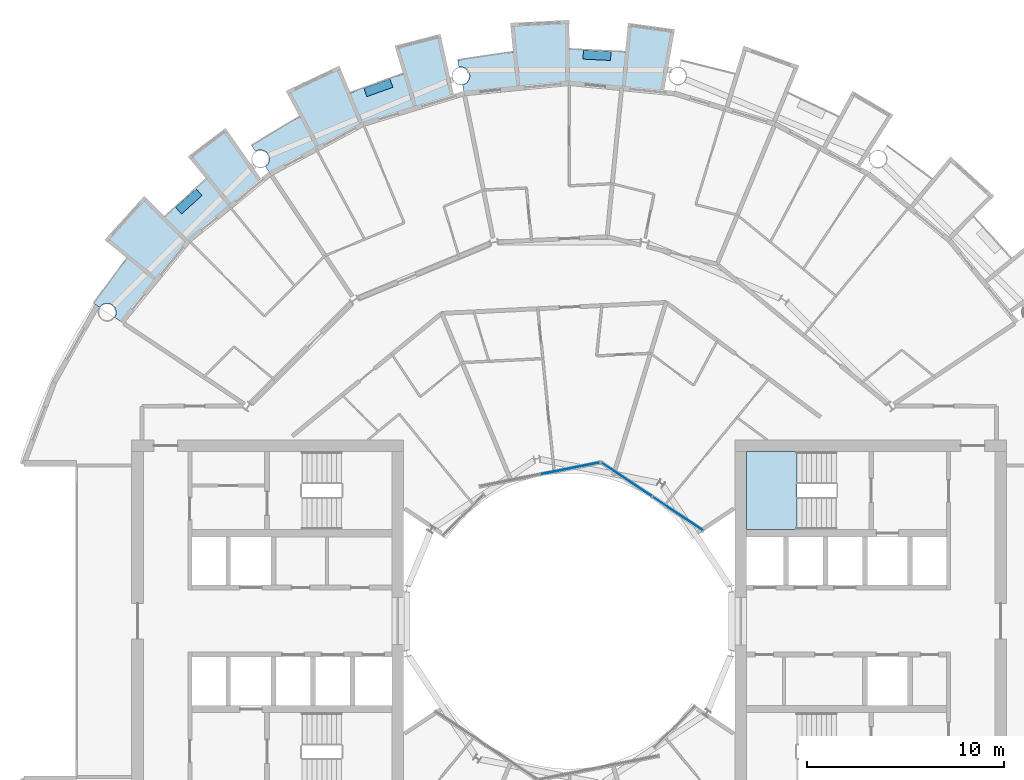
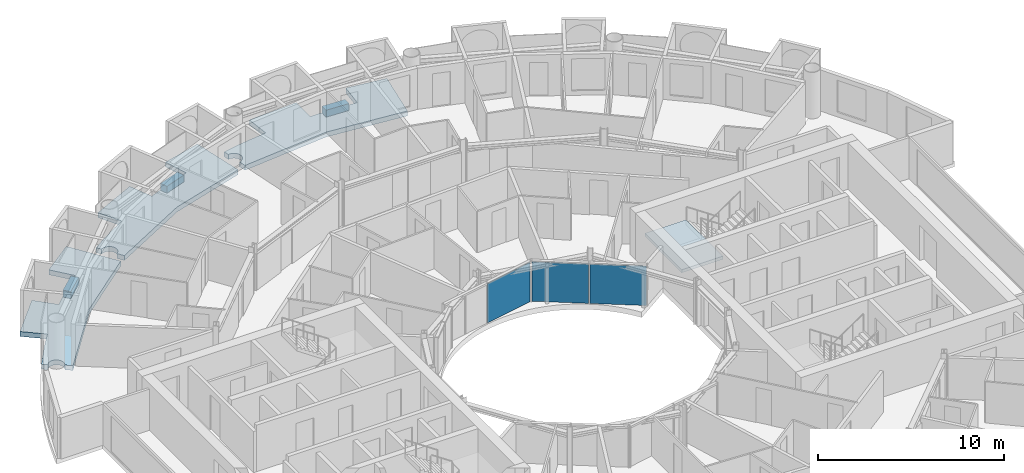
# One storey, part 12 of 27: 7 slabs, 3 plates, 3 elements without a shape of their own.
"""IFC4 building model written with IfcOpenShell, lengths in metres."""

from ifc_helpers import new_model, si_unit, direction, frame, origin, origin_2d, place, context, subcontext, project, spatial, polyline, rectangle, outline, extrude, material, layer, layer_set, type_object, element, aggregate, save


model = new_model("IFC4")

# Units and contexts
model_context = context("Model", 3, precision=1e-05, world=origin(), true_north=direction((0.0, 1.0)))
body_context = subcontext(model_context, "Body", "Model", "MODEL_VIEW")
ifc_project = project(units=[si_unit("LENGTHUNIT", "METRE"), si_unit("AREAUNIT", "SQUARE_METRE"), si_unit("VOLUMEUNIT", "CUBIC_METRE"), si_unit("PLANEANGLEUNIT", "RADIAN"), si_unit("MASSUNIT", "GRAM", prefix="KILO")], contexts=[model_context])

# Site, building, storey
site_placement = place(None, origin())
site = spatial("IfcSite", under=ifc_project, at=site_placement, CompositionType="ELEMENT")
building_placement = place(site_placement, origin())
building = spatial("IfcBuilding", under=site, at=building_placement, Name="Maasbend Ring Residences", CompositionType="ELEMENT")
storey_placement = place(building_placement, frame((0.0, 0.0, 114.699951171875)))
storey = spatial("IfcBuildingStorey", under=building, at=storey_placement, Name="L32", CompositionType="ELEMENT", Elevation=114.699951171875)

# Stair, slab
ifc_material_1 = material(Name="Concrete C40/50", Category="concrete")
stair_type = type_object("IfcStairType", Name="CORE STAIR 18 RISERS", PredefinedType="HALF_TURN_STAIR", material=ifc_material_1)
stair_placement = place(storey_placement, origin())
stair = element("IfcStair", 1, at=stair_placement, inside=storey, type_object=stair_type, Name="L32 Exit stair ST-E1", PredefinedType="HALF_TURN_STAIR")
ifc_material_2 = material(Name="Concrete C40/50", Category="concrete")
ifc_layer_1 = layer(ifc_material_2, 0.199951171875)
ifc_layer_set_1 = layer_set([ifc_layer_1], Name="Concrete C40/50")
slab_type_1 = type_object("IfcSlabType", Name="CORE STAIR LANDING 200", PredefinedType="LANDING", material=ifc_layer_set_1)
slab_1_placement = place(storey_placement, frame((0.0, 0.0, 1.324951171875)))
slab_1 = element("IfcSlab", 2, at=slab_1_placement, type_object=slab_type_1, Name="ST-E1 landing 1", PredefinedType="LANDING", context=body_context, shape_type="SweptSolid", body=[
    extrude(outline(polyline([(11.550048828125, 8.60009765625), (9.0, 8.60009765625), (9.0, 4.64990234375), (11.550048828125, 4.64990234375), (11.550048828125, 8.60009765625)])), origin(), (0.0, 0.0, 1.0), 0.2001953125),
])
aggregate(stair, [slab_1])

# Curtain wall, plates
ifc_material_3 = material(Name="Aluminium and clear glass", Category="aluminium")
ifc_layer_2 = layer(ifc_material_3, 0.179931640625)
ifc_layer_set_2 = layer_set([ifc_layer_2], Name="CW-W")
curtain_wall_type = type_object("IfcCurtainWallType", Name="CW-W", PredefinedType="NOTDEFINED", material=ifc_layer_set_2)
curtain_wall_1_placement = place(storey_placement, origin())
curtain_wall_1 = element("IfcCurtainWall", 3, at=curtain_wall_1_placement, inside=storey, type_object=curtain_wall_type, Name="Well curtain wall N1", PredefinedType="NOTDEFINED")
ifc_material_4 = material(Name="Glass clear laminated", Category="glass")
ifc_layer_3 = layer(ifc_material_4, 0.031982421875)
ifc_layer_set_3 = layer_set([ifc_layer_3], Name="CWP-W")
plate_type = type_object("IfcPlateType", Name="CWP-W", PredefinedType="CURTAIN_PANEL", material=ifc_layer_set_3)
plate_1_placement = place(storey_placement, frame((5.51123046875, 5.44580078125, 0.0), z_axis=(0.0, 0.0, 1.0), x_axis=(-0.831469612303, 0.55557023302, 0.0)))
plate_1 = element("IfcPlate", 4, at=plate_1_placement, type_object=plate_type, Name="Glass panel well face", PredefinedType="CURTAIN_PANEL", context=body_context, shape_type="SweptSolid", body=[
    extrude(rectangle(XDim=3.053955078125, YDim=0.031982421875, at=origin_2d()), origin(), (0.0, 0.0, 1.0), 2.580078125),
])
plate_2_placement = place(storey_placement, frame((2.922119140625, 7.17578125, 0.0), z_axis=(0.0, 0.0, 1.0), x_axis=(-0.831469612303, 0.55557023302, 0.0)))
plate_2 = element("IfcPlate", 5, at=plate_2_placement, type_object=plate_type, Name="Glass panel well face", PredefinedType="CURTAIN_PANEL", context=body_context, shape_type="SweptSolid", body=[
    extrude(rectangle(XDim=3.053955078125, YDim=0.031982421875, at=origin_2d()), origin(), (0.0, 0.0, 1.0), 2.580078125),
])
aggregate(curtain_wall_1, [plate_1, plate_2])

# Curtain wall, plate
curtain_wall_2_placement = place(storey_placement, origin())
curtain_wall_2 = element("IfcCurtainWall", 6, at=curtain_wall_2_placement, inside=storey, type_object=curtain_wall_type, Name="Well curtain wall N2", PredefinedType="NOTDEFINED")
plate_3_placement = place(storey_placement, frame((0.04638671875, 7.747802734375, 0.0), z_axis=(0.0, 0.0, 1.0), x_axis=(-0.980785280403, -0.195090322016, 0.0)))
plate_3 = element("IfcPlate", 7, at=plate_3_placement, type_object=plate_type, Name="Glass panel well face", PredefinedType="CURTAIN_PANEL", context=body_context, shape_type="SweptSolid", body=[
    extrude(rectangle(XDim=3.053955078125, YDim=0.031982421875, at=origin_2d()), origin(), (0.0, 0.0, 1.0), 2.580078125),
])
aggregate(curtain_wall_2, [plate_3])

# Slabs
ifc_material_5 = material(Name="Planting with climbing greenery")
ifc_layer_4 = layer(ifc_material_5, 0.449951171875)
ifc_layer_set_4 = layer_set([ifc_layer_4], Name="PLANTER-LG")
slab_type_2 = type_object("IfcSlabType", Name="PLANTER-LG", PredefinedType="USERDEFINED", material=ifc_layer_set_4)
slab_2_placement = place(storey_placement, frame((0.0, 0.0, -0.030029296875)))
element("IfcSlab", 8, at=slab_2_placement, inside=storey, type_object=slab_type_2, Name="Planter with climbing greenery 3", ObjectType="PLANTER", PredefinedType="USERDEFINED", context=body_context, shape_type="SweptSolid", body=[
    extrude(outline(polyline([(2.1201171875, 28.89599609375), (0.721923828125, 28.965087890625), (0.699951171875, 28.514892578125), (2.097900390625, 28.446044921875), (2.1201171875, 28.89599609375)])), origin(), (0.0, 0.0, 1.0), 0.4501953125),
])
slab_3_placement = place(storey_placement, frame((0.0, 0.0, -0.030029296875)))
element("IfcSlab", 9, at=slab_3_placement, inside=storey, type_object=slab_type_2, Name="Planter with climbing greenery 4", ObjectType="PLANTER", PredefinedType="USERDEFINED", context=body_context, shape_type="SweptSolid", body=[
    extrude(outline(polyline([(-9.09912109375, 27.508056640625), (-10.4169921875, 27.035888671875), (-10.26611328125, 26.612060546875), (-8.947021484375, 27.083984375), (-9.09912109375, 27.508056640625)])), origin(), (0.0, 0.0, 1.0), 0.4501953125),
])
slab_4_placement = place(storey_placement, frame((0.0, 0.0, -0.030029296875)))
element("IfcSlab", 10, at=slab_4_placement, inside=storey, type_object=slab_type_2, Name="Planter with climbing greenery 5", ObjectType="PLANTER", PredefinedType="USERDEFINED", context=body_context, shape_type="SweptSolid", body=[
    extrude(outline(polyline([(-18.93310546875, 21.931884765625), (-19.969970703125, 20.991943359375), (-19.66796875, 20.657958984375), (-18.631103515625, 21.597900390625), (-18.93310546875, 21.931884765625)])), origin(), (0.0, 0.0, 1.0), 0.4501953125),
])
ifc_material_6 = material(Name="Concrete C40/50", Category="concrete")
ifc_layer_5 = layer(ifc_material_6, 0.199951171875)
ifc_layer_set_5 = layer_set([ifc_layer_5], Name="Concrete C40/50")
slab_type_3 = type_object("IfcSlabType", Name="SL-LOGGIA", PredefinedType="FLOOR", material=ifc_layer_set_5)
slab_5_placement = place(storey_placement, frame((0.0, 0.0, -0.349853515625)))
element("IfcSlab", 11, at=slab_5_placement, inside=storey, type_object=slab_type_3, Name="Loggia floor 1", PredefinedType="FLOOR", context=body_context, shape_type="SweptSolid", body=[
    extrude(outline(polyline([(-14.5, 25.114990234375), (-13.6708984375, 25.574951171875), (-13.6708984375, 25.575927734375), (-13.6708984375, 25.575927734375), (-13.6708984375, 25.575927734375), (-13.6708984375, 25.575927734375), (-13.6708984375, 25.575927734375), (-13.6708984375, 25.575927734375), (-13.6708984375, 25.575927734375), (-13.6708984375, 25.575927734375), (-13.6708984375, 25.575927734375), (-13.6708984375, 25.575927734375), (-13.6708984375, 25.575927734375), (-13.6708984375, 25.575927734375), (-13.6708984375, 25.575927734375), (-13.6708984375, 25.575927734375), (-13.6708984375, 25.575927734375), (-13.6708984375, 25.575927734375), (-14.3779296875, 26.89892578125), (-14.3779296875, 26.89892578125), (-14.3779296875, 26.89892578125), (-11.672119140625, 28.177978515625), (-11.672119140625, 28.177978515625), (-11.672119140625, 28.177978515625), (-11.097900390625, 26.79296875), (-11.097900390625, 26.79296875), (-11.097900390625, 26.79296875), (-11.097900390625, 26.79296875), (-11.097900390625, 26.79296875), (-11.097900390625, 26.79296875), (-11.097900390625, 26.79296875), (-11.097900390625, 26.79296875), (-11.097900390625, 26.79296875), (-11.097900390625, 26.79296875), (-11.097900390625, 26.79296875), (-11.097900390625, 26.79296875), (-11.097900390625, 26.79296875), (-11.097900390625, 26.79296875), (-11.096923828125, 26.79296875), (-11.096923828125, 26.79296875), (-11.096923828125, 26.79296875), (-10.215087890625, 27.14111328125), (-10.215087890625, 27.14111328125), (-9.322021484375, 27.4609375), (-9.322021484375, 27.4609375), (-8.4189453125, 27.7509765625), (-8.4189453125, 27.7509765625), (-8.4189453125, 27.7509765625), (-8.4189453125, 27.7509765625), (-8.4189453125, 27.7509765625), (-8.4189453125, 27.7509765625), (-8.41796875, 27.7509765625), (-8.41796875, 27.7509765625), (-8.41796875, 27.7509765625), (-8.41796875, 27.7509765625), (-8.41796875, 27.7509765625), (-8.41796875, 27.751953125), (-8.41796875, 27.751953125), (-8.41796875, 27.751953125), (-8.41796875, 27.751953125), (-8.41796875, 27.751953125), (-8.41796875, 27.751953125), (-8.85400390625, 29.18701171875), (-8.85400390625, 29.18701171875), (-8.85400390625, 29.18701171875), (-6.5400390625, 29.791015625), (-6.5400390625, 29.791015625), (-6.5400390625, 29.791015625), (-5.843994140625, 26.617919921875), (-5.843994140625, 26.617919921875), (-5.843994140625, 26.617919921875), (-7.886962890625, 25.9990234375), (-10.447021484375, 25.221923828125), (-10.447021484375, 25.221923828125), (-10.447021484375, 25.221923828125), (-12.806884765625, 23.9609375), (-15.1669921875, 22.698974609375), (-15.1669921875, 22.698974609375), (-15.1669921875, 22.698974609375), (-15.4130859375, 23.06689453125), (-15.404052734375, 23.073974609375), (-15.39501953125, 23.080078125), (-15.385986328125, 23.0869140625), (-15.376953125, 23.093994140625), (-15.368896484375, 23.10107421875), (-15.360107421875, 23.10888671875), (-15.35205078125, 23.115966796875), (-15.343994140625, 23.1240234375), (-15.3359375, 23.132080078125), (-15.327880859375, 23.139892578125), (-15.321044921875, 23.14892578125), (-15.31396484375, 23.156982421875), (-15.306884765625, 23.166015625), (-15.300048828125, 23.175048828125), (-15.29296875, 23.18408203125), (-15.287109375, 23.194091796875), (-15.281005859375, 23.202880859375), (-15.27490234375, 23.2119140625), (-15.26904296875, 23.221923828125), (-15.263916015625, 23.23193359375), (-15.259033203125, 23.241943359375), (-15.25390625, 23.251953125), (-15.2490234375, 23.261962890625), (-15.2451171875, 23.27294921875), (-15.240966796875, 23.282958984375), (-15.237060546875, 23.29296875), (-15.23291015625, 23.303955078125), (-15.22998046875, 23.31494140625), (-15.22705078125, 23.325927734375), (-15.22412109375, 23.3359375), (-15.220947265625, 23.346923828125), (-15.218994140625, 23.35791015625), (-15.217041015625, 23.368896484375), (-15.215087890625, 23.3798828125), (-15.214111328125, 23.39111328125), (-15.2119140625, 23.403076171875), (-15.2109375, 23.4140625), (-15.2109375, 23.425048828125), (-15.2099609375, 23.43603515625), (-15.2099609375, 23.447021484375), (-15.2099609375, 23.458984375), (-15.2109375, 23.469970703125), (-15.2109375, 23.48095703125), (-15.2119140625, 23.491943359375), (-15.214111328125, 23.5029296875), (-15.215087890625, 23.513916015625), (-15.217041015625, 23.52587890625), (-15.218994140625, 23.537109375), (-15.220947265625, 23.548095703125), (-15.22412109375, 23.55810546875), (-15.22705078125, 23.569091796875), (-15.22998046875, 23.580078125), (-15.23291015625, 23.591064453125), (-15.237060546875, 23.60107421875), (-15.240966796875, 23.612060546875), (-15.2451171875, 23.6220703125), (-15.2490234375, 23.633056640625), (-15.25390625, 23.64306640625), (-15.259033203125, 23.653076171875), (-15.263916015625, 23.6630859375), (-15.26904296875, 23.673095703125), (-15.27490234375, 23.681884765625), (-15.281005859375, 23.69189453125), (-15.287109375, 23.700927734375), (-15.29296875, 23.7109375), (-15.300048828125, 23.719970703125), (-15.306884765625, 23.72900390625), (-15.31396484375, 23.737060546875), (-15.321044921875, 23.74609375), (-15.327880859375, 23.75390625), (-15.3359375, 23.762939453125), (-15.343994140625, 23.77099609375), (-15.35205078125, 23.778076171875), (-15.360107421875, 23.785888671875), (-15.368896484375, 23.79296875), (-15.376953125, 23.801025390625), (-15.385986328125, 23.80810546875), (-15.39501953125, 23.81396484375), (-15.404052734375, 23.821044921875), (-15.4130859375, 23.826904296875), (-15.423095703125, 23.8330078125), (-15.431884765625, 23.839111328125), (-15.44189453125, 23.844970703125), (-15.451904296875, 23.85009765625), (-15.4619140625, 23.85595703125), (-15.471923828125, 23.861083984375), (-15.48193359375, 23.864990234375), (-15.491943359375, 23.8701171875), (-15.5029296875, 23.8740234375), (-15.512939453125, 23.8779296875), (-15.52392578125, 23.881103515625), (-15.533935546875, 23.885009765625), (-15.544921875, 23.887939453125), (-15.555908203125, 23.89111328125), (-15.56689453125, 23.89306640625), (-15.577880859375, 23.89599609375), (-15.589111328125, 23.89794921875), (-15.60009765625, 23.89892578125), (-15.611083984375, 23.90087890625), (-15.6220703125, 23.902099609375), (-15.633056640625, 23.903076171875), (-15.64501953125, 23.904052734375), (-15.656005859375, 23.904052734375), (-15.6669921875, 23.904052734375), (-15.677978515625, 23.904052734375), (-15.68994140625, 23.904052734375), (-15.700927734375, 23.903076171875), (-15.7119140625, 23.902099609375), (-15.722900390625, 23.90087890625), (-15.73388671875, 23.89892578125), (-15.7451171875, 23.89794921875), (-15.756103515625, 23.89599609375), (-15.76708984375, 23.89306640625), (-15.778076171875, 23.89111328125), (-15.7890625, 23.887939453125), (-15.800048828125, 23.885009765625), (-15.81005859375, 23.881103515625), (-15.821044921875, 23.8779296875), (-15.83203125, 23.8740234375), (-15.842041015625, 23.8701171875), (-15.85205078125, 23.864990234375), (-15.862060546875, 23.861083984375), (-15.873046875, 23.85595703125), (-15.883056640625, 23.85009765625), (-15.89208984375, 23.844970703125), (-15.902099609375, 23.839111328125), (-15.912109375, 23.8330078125), (-15.9208984375, 23.826904296875), (-16.112060546875, 24.113037109375), (-16.112060546875, 24.113037109375), (-16.112060546875, 24.113037109375), (-15.31396484375, 24.626953125), (-15.31396484375, 24.626953125), (-14.5, 25.114990234375), (-14.5, 25.114990234375)])), origin(), (0.0, 0.0, 1.0), 0.31982421875),
])
slab_6_placement = place(storey_placement, frame((0.0, 0.0, -0.349853515625)))
element("IfcSlab", 12, at=slab_6_placement, inside=storey, type_object=slab_type_3, Name="Loggia floor 3", PredefinedType="FLOOR", context=body_context, shape_type="SweptSolid", body=[
    extrude(outline(polyline([(-3.784912109375, 28.751953125), (-2.843017578125, 28.860107421875), (-2.843017578125, 28.860107421875), (-2.843017578125, 28.860107421875), (-2.843017578125, 28.860107421875), (-2.843017578125, 28.860107421875), (-2.843017578125, 28.860107421875), (-2.843017578125, 28.860107421875), (-2.843017578125, 28.860107421875), (-2.843017578125, 28.860107421875), (-2.843017578125, 28.861083984375), (-2.843017578125, 28.861083984375), (-2.843017578125, 28.861083984375), (-2.843017578125, 28.861083984375), (-2.843017578125, 28.861083984375), (-2.843017578125, 28.861083984375), (-2.843017578125, 28.861083984375), (-2.843017578125, 28.861083984375), (-2.989990234375, 30.35302734375), (-2.989990234375, 30.35302734375), (-2.989990234375, 30.35302734375), (0.0, 30.5), (0.0, 30.5), (0.0, 30.5), (0.0, 29.0), (0.0, 29.0), (0.0, 29.0), (0.0, 29.0), (0.0, 29.0), (0.0, 29.0), (0.0, 29.0), (0.0, 29.0), (0.0, 29.0), (0.0, 29.0), (0.0, 29.0), (0.0, 29.0), (0.0, 29.0), (0.0, 29.0), (0.0, 29.0), (0.0, 29.0), (0.0, 29.0), (0.948974609375, 28.98388671875), (0.948974609375, 28.98388671875), (1.89697265625, 28.93798828125), (1.89697265625, 28.93798828125), (2.842041015625, 28.860107421875), (2.842041015625, 28.860107421875), (2.842041015625, 28.860107421875), (2.842041015625, 28.860107421875), (2.842041015625, 28.860107421875), (2.842041015625, 28.860107421875), (2.842041015625, 28.860107421875), (2.842041015625, 28.860107421875), (2.842041015625, 28.861083984375), (2.842041015625, 28.861083984375), (2.842041015625, 28.861083984375), (2.842041015625, 28.861083984375), (2.842041015625, 28.861083984375), (2.843017578125, 28.861083984375), (2.843017578125, 28.861083984375), (2.843017578125, 28.861083984375), (2.843017578125, 28.861083984375), (2.989990234375, 30.35302734375), (2.989990234375, 30.35302734375), (2.989990234375, 30.35302734375), (5.35791015625, 30.02587890625), (5.35791015625, 30.02587890625), (5.35791015625, 30.02587890625), (4.7880859375, 26.827880859375), (4.7880859375, 26.827880859375), (4.7880859375, 26.827880859375), (2.6630859375, 27.0380859375), (0.0, 27.300048828125), (0.0, 27.300048828125), (0.0, 27.300048828125), (-2.6630859375, 27.0380859375), (-5.325927734375, 26.77490234375), (-5.325927734375, 26.77490234375), (-5.325927734375, 26.77490234375), (-5.412109375, 27.2099609375), (-5.412109375, 27.2099609375), (-5.40087890625, 27.2119140625), (-5.389892578125, 27.215087890625), (-5.3798828125, 27.218017578125), (-5.368896484375, 27.220947265625), (-5.35791015625, 27.22412109375), (-5.347900390625, 27.22802734375), (-5.3369140625, 27.23193359375), (-5.326904296875, 27.236083984375), (-5.31591796875, 27.239990234375), (-5.305908203125, 27.2451171875), (-5.2958984375, 27.25), (-5.285888671875, 27.2548828125), (-5.27587890625, 27.260009765625), (-5.26708984375, 27.26611328125), (-5.257080078125, 27.27197265625), (-5.248046875, 27.278076171875), (-5.238037109375, 27.283935546875), (-5.22900390625, 27.291015625), (-5.219970703125, 27.298095703125), (-5.2119140625, 27.304931640625), (-5.202880859375, 27.31201171875), (-5.195068359375, 27.319091796875), (-5.18603515625, 27.326904296875), (-5.177978515625, 27.3349609375), (-5.1708984375, 27.343017578125), (-5.1630859375, 27.35107421875), (-5.155029296875, 27.360107421875), (-5.14794921875, 27.367919921875), (-5.14111328125, 27.376953125), (-5.134033203125, 27.385986328125), (-5.1279296875, 27.39501953125), (-5.1220703125, 27.404052734375), (-5.114990234375, 27.4140625), (-5.110107421875, 27.423095703125), (-5.10400390625, 27.43310546875), (-5.097900390625, 27.443115234375), (-5.093017578125, 27.452880859375), (-5.087890625, 27.462890625), (-5.083984375, 27.472900390625), (-5.0791015625, 27.48291015625), (-5.074951171875, 27.493896484375), (-5.071044921875, 27.50390625), (-5.068115234375, 27.514892578125), (-5.06396484375, 27.52490234375), (-5.06103515625, 27.535888671875), (-5.05810546875, 27.547119140625), (-5.055908203125, 27.55810546875), (-5.052978515625, 27.569091796875), (-5.051025390625, 27.580078125), (-5.049072265625, 27.591064453125), (-5.048095703125, 27.60205078125), (-5.047119140625, 27.613037109375), (-5.0458984375, 27.6240234375), (-5.044921875, 27.635986328125), (-5.044921875, 27.64697265625), (-5.044921875, 27.657958984375), (-5.044921875, 27.6689453125), (-5.044921875, 27.680908203125), (-5.0458984375, 27.69189453125), (-5.047119140625, 27.702880859375), (-5.048095703125, 27.714111328125), (-5.049072265625, 27.72509765625), (-5.051025390625, 27.736083984375), (-5.052978515625, 27.7470703125), (-5.055908203125, 27.758056640625), (-5.05810546875, 27.76904296875), (-5.06103515625, 27.780029296875), (-5.06396484375, 27.791015625), (-5.068115234375, 27.801025390625), (-5.071044921875, 27.81201171875), (-5.074951171875, 27.822998046875), (-5.0791015625, 27.8330078125), (-5.083984375, 27.843017578125), (-5.087890625, 27.85302734375), (-5.093017578125, 27.864013671875), (-5.097900390625, 27.8740234375), (-5.10400390625, 27.883056640625), (-5.110107421875, 27.89306640625), (-5.114990234375, 27.903076171875), (-5.1220703125, 27.912109375), (-5.1279296875, 27.9208984375), (-5.134033203125, 27.929931640625), (-5.14111328125, 27.93896484375), (-5.14794921875, 27.947998046875), (-5.155029296875, 27.95703125), (-5.1630859375, 27.965087890625), (-5.1708984375, 27.972900390625), (-5.177978515625, 27.98095703125), (-5.18603515625, 27.989013671875), (-5.195068359375, 27.9970703125), (-5.202880859375, 28.00390625), (-5.2119140625, 28.010986328125), (-5.219970703125, 28.01806640625), (-5.22900390625, 28.02490234375), (-5.238037109375, 28.031982421875), (-5.248046875, 28.0380859375), (-5.257080078125, 28.0439453125), (-5.26708984375, 28.050048828125), (-5.27587890625, 28.055908203125), (-5.285888671875, 28.06103515625), (-5.2958984375, 28.06591796875), (-5.305908203125, 28.071044921875), (-5.31591796875, 28.075927734375), (-5.326904296875, 28.080078125), (-5.3369140625, 28.083984375), (-5.347900390625, 28.087890625), (-5.35791015625, 28.092041015625), (-5.368896484375, 28.094970703125), (-5.3798828125, 28.09912109375), (-5.389892578125, 28.10107421875), (-5.40087890625, 28.10400390625), (-5.412109375, 28.10595703125), (-5.423095703125, 28.10791015625), (-5.43408203125, 28.110107421875), (-5.446044921875, 28.112060546875), (-5.45703125, 28.113037109375), (-5.468017578125, 28.114013671875), (-5.47900390625, 28.114990234375), (-5.489990234375, 28.114990234375), (-5.501953125, 28.114990234375), (-5.512939453125, 28.114990234375), (-5.52392578125, 28.114990234375), (-5.534912109375, 28.114013671875), (-5.5458984375, 28.113037109375), (-5.556884765625, 28.112060546875), (-5.569091796875, 28.110107421875), (-5.580078125, 28.10791015625), (-5.591064453125, 28.10595703125), (-5.591064453125, 28.10595703125), (-5.657958984375, 28.443115234375), (-5.657958984375, 28.443115234375), (-5.657958984375, 28.443115234375), (-4.72412109375, 28.613037109375), (-4.72412109375, 28.613037109375), (-3.784912109375, 28.751953125), (-3.784912109375, 28.751953125)])), origin(), (0.0, 0.0, 1.0), 0.31982421875),
])
slab_7_placement = place(storey_placement, frame((0.0, 0.0, -0.349853515625)))
element("IfcSlab", 13, at=slab_7_placement, inside=storey, type_object=slab_type_3, Name="Loggia floor 4", PredefinedType="FLOOR", context=body_context, shape_type="SweptSolid", body=[
    extrude(outline(polyline([(-23.007080078125, 17.654052734375), (-22.41796875, 18.39697265625), (-22.41796875, 18.39697265625), (-22.41796875, 18.39697265625), (-22.41796875, 18.39697265625), (-22.41796875, 18.39697265625), (-22.41796875, 18.39697265625), (-22.41796875, 18.39697265625), (-22.41796875, 18.39697265625), (-22.41796875, 18.39697265625), (-22.41796875, 18.39697265625), (-22.41796875, 18.39697265625), (-22.41796875, 18.39794921875), (-22.41796875, 18.39794921875), (-22.41796875, 18.39794921875), (-22.41796875, 18.39794921875), (-22.41796875, 18.39794921875), (-22.41796875, 18.39794921875), (-23.576904296875, 19.34912109375), (-23.576904296875, 19.34912109375), (-23.576904296875, 19.34912109375), (-21.56689453125, 21.56689453125), (-21.56689453125, 21.56689453125), (-21.56689453125, 21.56689453125), (-20.506103515625, 20.506103515625), (-20.506103515625, 20.506103515625), (-20.506103515625, 20.506103515625), (-20.506103515625, 20.506103515625), (-20.506103515625, 20.506103515625), (-20.506103515625, 20.506103515625), (-20.506103515625, 20.506103515625), (-20.506103515625, 20.506103515625), (-20.506103515625, 20.506103515625), (-20.506103515625, 20.506103515625), (-20.506103515625, 20.506103515625), (-20.506103515625, 20.506103515625), (-20.506103515625, 20.506103515625), (-20.506103515625, 20.506103515625), (-20.506103515625, 20.506103515625), (-20.506103515625, 20.506103515625), (-20.506103515625, 20.506103515625), (-19.823974609375, 21.166015625), (-19.823974609375, 21.166015625), (-19.12109375, 21.802978515625), (-19.12109375, 21.802978515625), (-18.39794921875, 22.4169921875), (-18.39794921875, 22.4169921875), (-18.39794921875, 22.4169921875), (-18.39794921875, 22.4169921875), (-18.39794921875, 22.4169921875), (-18.39794921875, 22.4169921875), (-18.39794921875, 22.4169921875), (-18.39794921875, 22.4169921875), (-18.39794921875, 22.4169921875), (-18.39794921875, 22.4169921875), (-18.39794921875, 22.4169921875), (-18.39794921875, 22.4169921875), (-18.39794921875, 22.41796875), (-18.39794921875, 22.41796875), (-18.39794921875, 22.41796875), (-18.39794921875, 22.41796875), (-18.39794921875, 22.41796875), (-19.34912109375, 23.576904296875), (-19.34912109375, 23.576904296875), (-19.34912109375, 23.576904296875), (-17.44189453125, 25.02001953125), (-17.44189453125, 25.02001953125), (-17.44189453125, 25.02001953125), (-15.5849609375, 22.35595703125), (-15.5849609375, 22.35595703125), (-15.5849609375, 22.35595703125), (-17.236083984375, 21.001953125), (-19.303955078125, 19.303955078125), (-19.303955078125, 19.303955078125), (-19.303955078125, 19.303955078125), (-21.001953125, 17.236083984375), (-22.698974609375, 15.1669921875), (-22.698974609375, 15.1669921875), (-22.698974609375, 15.1669921875), (-23.06689453125, 15.4130859375), (-23.06689453125, 15.4130859375), (-23.06103515625, 15.423095703125), (-23.054931640625, 15.431884765625), (-23.050048828125, 15.44189453125), (-23.0439453125, 15.451904296875), (-23.0390625, 15.4619140625), (-23.033935546875, 15.471923828125), (-23.030029296875, 15.48193359375), (-23.02490234375, 15.491943359375), (-23.02099609375, 15.5029296875), (-23.01708984375, 15.512939453125), (-23.012939453125, 15.52392578125), (-23.010009765625, 15.533935546875), (-23.007080078125, 15.544921875), (-23.00390625, 15.555908203125), (-23.001953125, 15.56689453125), (-22.9990234375, 15.577880859375), (-22.9970703125, 15.589111328125), (-22.9951171875, 15.60009765625), (-22.993896484375, 15.611083984375), (-22.992919921875, 15.6220703125), (-22.991943359375, 15.633056640625), (-22.990966796875, 15.64501953125), (-22.990966796875, 15.656005859375), (-22.989990234375, 15.6669921875), (-22.990966796875, 15.677978515625), (-22.990966796875, 15.68994140625), (-22.991943359375, 15.700927734375), (-22.992919921875, 15.7119140625), (-22.993896484375, 15.722900390625), (-22.9951171875, 15.73388671875), (-22.9970703125, 15.7451171875), (-22.9990234375, 15.756103515625), (-23.001953125, 15.76708984375), (-23.00390625, 15.778076171875), (-23.007080078125, 15.7890625), (-23.010009765625, 15.800048828125), (-23.012939453125, 15.81005859375), (-23.01708984375, 15.821044921875), (-23.02099609375, 15.83203125), (-23.02490234375, 15.842041015625), (-23.030029296875, 15.85205078125), (-23.033935546875, 15.862060546875), (-23.0390625, 15.873046875), (-23.0439453125, 15.883056640625), (-23.050048828125, 15.89208984375), (-23.054931640625, 15.902099609375), (-23.06103515625, 15.912109375), (-23.06689453125, 15.9208984375), (-23.073974609375, 15.929931640625), (-23.080078125, 15.93896484375), (-23.0869140625, 15.947998046875), (-23.093994140625, 15.95703125), (-23.10107421875, 15.966064453125), (-23.10888671875, 15.97412109375), (-23.115966796875, 15.98193359375), (-23.1240234375, 15.989990234375), (-23.132080078125, 15.998046875), (-23.139892578125, 16.006103515625), (-23.14892578125, 16.012939453125), (-23.156982421875, 16.02001953125), (-23.166015625, 16.027099609375), (-23.175048828125, 16.033935546875), (-23.18408203125, 16.041015625), (-23.194091796875, 16.047119140625), (-23.202880859375, 16.052978515625), (-23.2119140625, 16.05908203125), (-23.221923828125, 16.06494140625), (-23.23193359375, 16.070068359375), (-23.241943359375, 16.074951171875), (-23.251953125, 16.080078125), (-23.261962890625, 16.0849609375), (-23.27294921875, 16.089111328125), (-23.282958984375, 16.093017578125), (-23.29296875, 16.096923828125), (-23.303955078125, 16.10107421875), (-23.31494140625, 16.10400390625), (-23.325927734375, 16.10791015625), (-23.3359375, 16.110107421875), (-23.346923828125, 16.113037109375), (-23.35791015625, 16.114990234375), (-23.368896484375, 16.116943359375), (-23.3798828125, 16.118896484375), (-23.39111328125, 16.12109375), (-23.403076171875, 16.1220703125), (-23.4140625, 16.123046875), (-23.425048828125, 16.1240234375), (-23.43603515625, 16.1240234375), (-23.447021484375, 16.1240234375), (-23.458984375, 16.1240234375), (-23.469970703125, 16.1240234375), (-23.48095703125, 16.123046875), (-23.491943359375, 16.1220703125), (-23.5029296875, 16.12109375), (-23.513916015625, 16.118896484375), (-23.52587890625, 16.116943359375), (-23.537109375, 16.114990234375), (-23.548095703125, 16.113037109375), (-23.55810546875, 16.110107421875), (-23.569091796875, 16.10791015625), (-23.580078125, 16.10400390625), (-23.591064453125, 16.10107421875), (-23.60107421875, 16.096923828125), (-23.612060546875, 16.093017578125), (-23.6220703125, 16.089111328125), (-23.633056640625, 16.0849609375), (-23.64306640625, 16.080078125), (-23.653076171875, 16.074951171875), (-23.6630859375, 16.070068359375), (-23.673095703125, 16.06494140625), (-23.681884765625, 16.05908203125), (-23.69189453125, 16.052978515625), (-23.700927734375, 16.047119140625), (-23.7109375, 16.041015625), (-23.719970703125, 16.033935546875), (-23.72900390625, 16.027099609375), (-23.737060546875, 16.02001953125), (-23.74609375, 16.012939453125), (-23.75390625, 16.006103515625), (-23.762939453125, 15.998046875), (-23.77099609375, 15.989990234375), (-23.778076171875, 15.98193359375), (-23.785888671875, 15.97412109375), (-23.79296875, 15.966064453125), (-23.801025390625, 15.95703125), (-23.80810546875, 15.947998046875), (-23.81396484375, 15.93896484375), (-23.821044921875, 15.929931640625), (-23.826904296875, 15.9208984375), (-23.826904296875, 15.9208984375), (-24.113037109375, 16.112060546875), (-24.113037109375, 16.112060546875), (-24.113037109375, 16.112060546875), (-23.572998046875, 16.89208984375), (-23.572998046875, 16.89208984375), (-23.007080078125, 17.654052734375), (-23.007080078125, 17.654052734375)])), origin(), (0.0, 0.0, 1.0), 0.31982421875),
])

save(model, "model.ifc")
